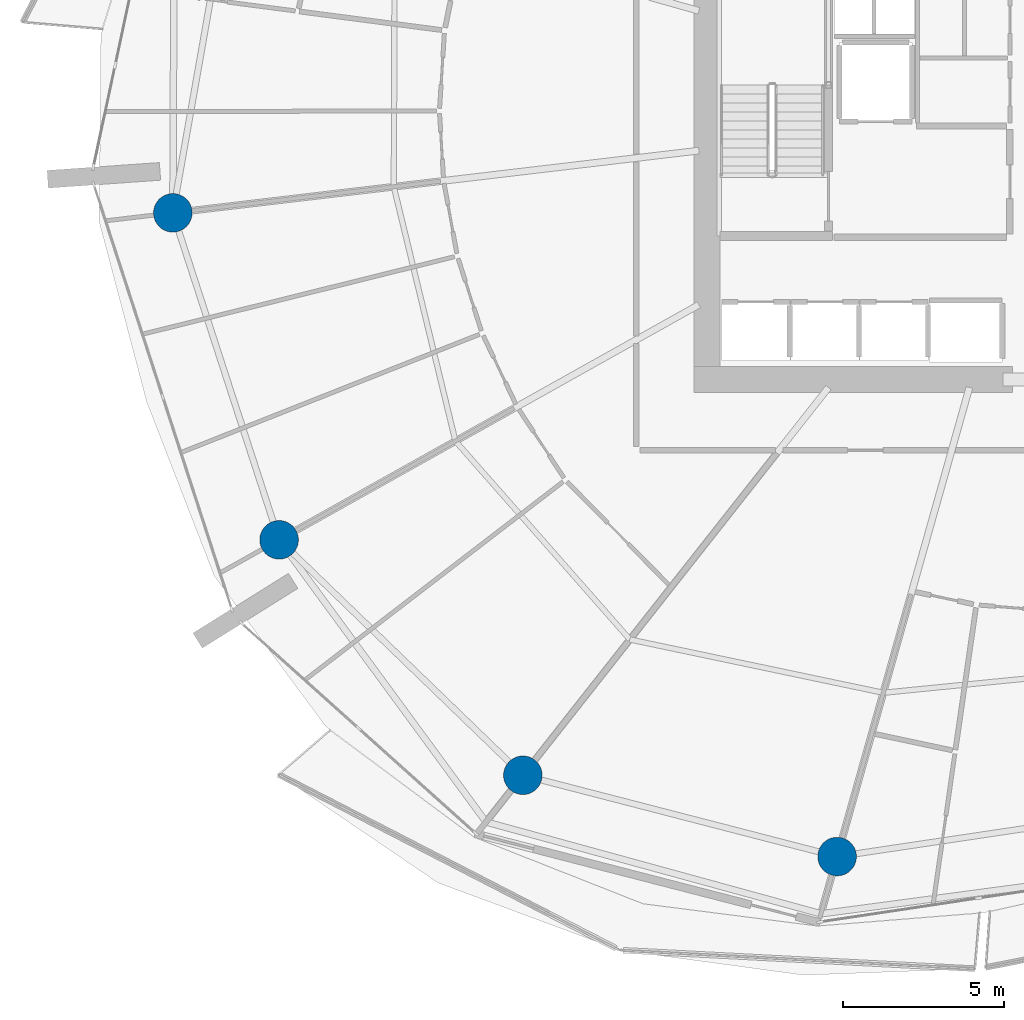
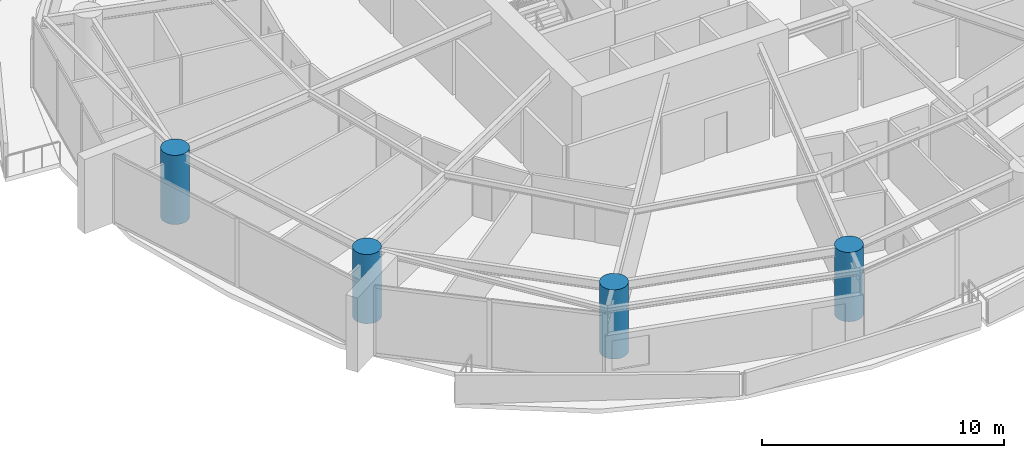
# One storey, part 1 of 23: 4 columns.
"""IFC4 building model written with IfcOpenShell, lengths in metres."""

from ifc_helpers import new_model, si_unit, direction, frame, origin, origin_2d, place, context, subcontext, project, spatial, circle, extrude, material, material_profile, profile_set, type_object, element, save


model = new_model("IFC4")

# Units and contexts
model_context = context("Model", 3, precision=1e-05, world=origin(), true_north=direction((0.0, 1.0)))
body_context = subcontext(model_context, "Body", "Model", "MODEL_VIEW")
ifc_project = project(units=[si_unit("LENGTHUNIT", "METRE"), si_unit("AREAUNIT", "SQUARE_METRE"), si_unit("VOLUMEUNIT", "CUBIC_METRE"), si_unit("PLANEANGLEUNIT", "RADIAN"), si_unit("MASSUNIT", "GRAM", prefix="KILO")], contexts=[model_context])

# Site, building, storey
site_placement = place(None, origin())
site = spatial("IfcSite", under=ifc_project, at=site_placement, CompositionType="ELEMENT")
building_placement = place(site_placement, origin())
building = spatial("IfcBuilding", under=site, at=building_placement, Name="Kazma Halo Residences", CompositionType="ELEMENT")
storey_placement = place(building_placement, frame((0.0, 0.0, 97.64990234375)))
storey = spatial("IfcBuildingStorey", under=building, at=storey_placement, Name="L24", CompositionType="ELEMENT", Elevation=97.64990234375)

# Columns
ifc_material = material(Name="Concrete C80/95", Category="concrete")
ifc_material_profile = material_profile(ifc_material, circle(Radius=0.60009765625, at=origin_2d()), Name="CIRC1200")
ifc_profile_set = profile_set([ifc_material_profile], Name="Concrete C80/95")
column_type = type_object("IfcColumnType", Name="COL-PERIM-1200", PredefinedType="COLUMN", material=ifc_profile_set)
for number, where, z_axis, x_axis, name in (
    (1, (20.79345703125, 38.77978515625, 0.0), (0.0, 0.0, 1.0), (1.0, 0.0, 0.0), "L24 perimeter ring column P08"),
    (2, (24.0966796875, 28.613525390625, 0.0), (0.0, 0.0, 1.0), (1.0, 0.0, 0.0), "L24 perimeter ring column P09"),
    (3, (31.676513671875, 21.293701171875, 0.0), (0.0, 0.0, 1.0), (1.0, 0.0, 0.0), "L24 perimeter ring column P10"),
    (4, (41.447265625, 18.765869140625, 0.0), (0.0, 0.0, 1.0), (1.0, 0.0, 0.0), "L24 perimeter ring column P11"),
):
    element("IfcColumn", number, at=place(storey_placement, frame(where, z_axis=z_axis, x_axis=x_axis)), inside=storey, type_object=column_type, Name=name, PredefinedType="COLUMN", context=body_context, shape_type="SweptSolid", body=[
        extrude(circle(Radius=0.60009765625, at=origin_2d()), origin(), (0.0, 0.0, 1.0), 3.5),
    ])

save(model, "model.ifc")
